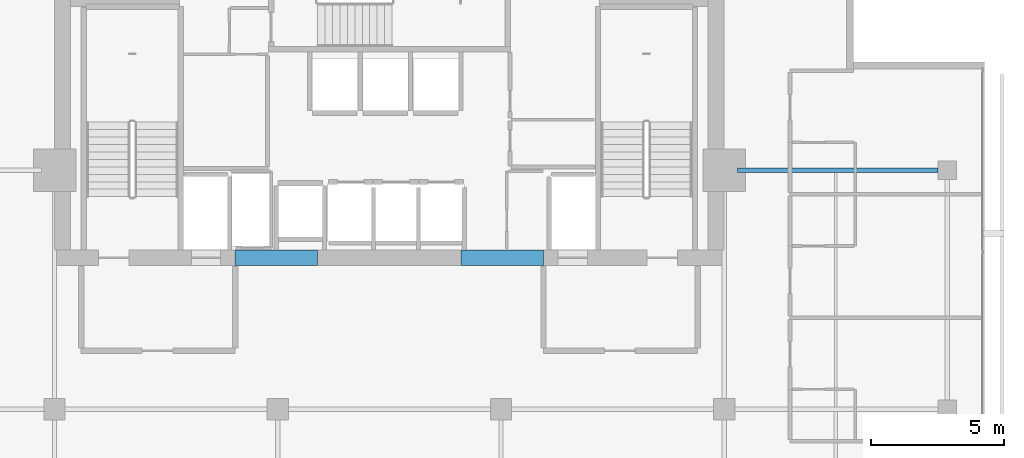
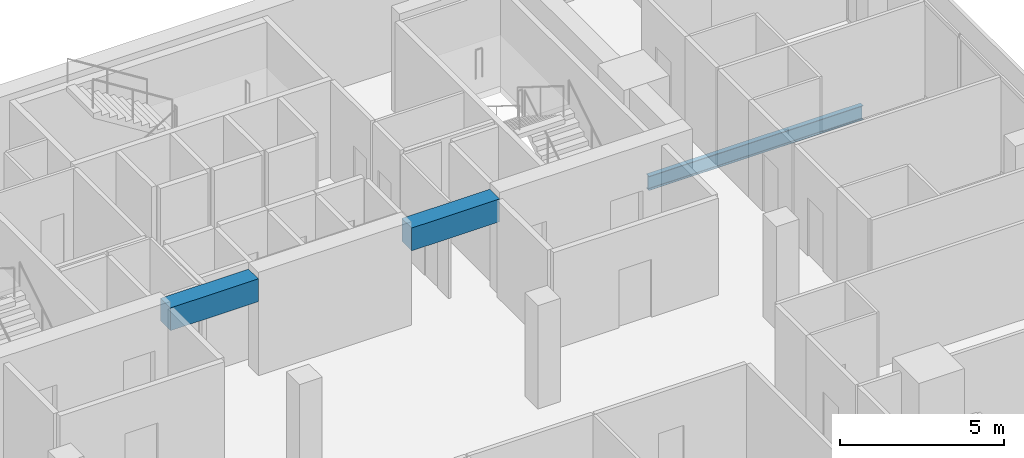
# One storey, part 17 of 26: 3 beams.
"""IFC4 building model written with IfcOpenShell, lengths in metres."""

from ifc_helpers import new_model, si_unit, direction, frame, origin, origin_2d, place, context, subcontext, project, spatial, rectangle, i_section, extrude, material, material_profile, profile_set, type_object, element, save


model = new_model("IFC4")

# Units and contexts
model_context = context("Model", 3, precision=1e-05, world=origin(), true_north=direction((0.0, 1.0)))
body_context = subcontext(model_context, "Body", "Model", "MODEL_VIEW")
ifc_project = project(units=[si_unit("LENGTHUNIT", "METRE"), si_unit("AREAUNIT", "SQUARE_METRE"), si_unit("VOLUMEUNIT", "CUBIC_METRE"), si_unit("PLANEANGLEUNIT", "RADIAN"), si_unit("MASSUNIT", "GRAM", prefix="KILO")], contexts=[model_context])

# Site, building, storey
site_placement = place(None, origin())
site = spatial("IfcSite", under=ifc_project, at=site_placement, CompositionType="ELEMENT")
building_placement = place(site_placement, origin())
building = spatial("IfcBuilding", under=site, at=building_placement, Name="Maruvema Waterfront Hotel and Observation Tower", CompositionType="ELEMENT")
storey_placement = place(building_placement, frame((0.0, 0.0, 285.60009765625)))
storey = spatial("IfcBuildingStorey", under=building, at=storey_placement, Name="L70", CompositionType="ELEMENT", Elevation=285.60009765625)

# Beams
ifc_material_1 = material(Name="Concrete C60/75", Category="concrete")
ifc_material_profile_1 = material_profile(ifc_material_1, rectangle(XDim=0.60009765625, YDim=0.85009765625, at=origin_2d()), Name="CB600x850")
ifc_profile_set_1 = profile_set([ifc_material_profile_1], Name="Concrete C60/75")
beam_type_1 = type_object("IfcBeamType", Name="Core Coupling Lintel Beam CB600x850", PredefinedType="LINTEL", material=ifc_profile_set_1)
for number, where, z_axis, x_axis, name in (
    (1, (32.0, 41.699951171875, 3.184814453125), (1.0, 0.0, 0.0), (0.0, 1.0, 0.0), "L70 Core Coupling Lintel Beam West"),
    (2, (40.5, 41.699951171875, 3.184814453125), (1.0, 0.0, 0.0), (0.0, 1.0, 0.0), "L70 Core Coupling Lintel Beam East"),
):
    element("IfcBeam", number, at=place(storey_placement, frame(where, z_axis=z_axis, x_axis=x_axis)), inside=storey, type_object=beam_type_1, Name=name, PredefinedType="LINTEL", context=body_context, shape_type="SweptSolid", body=[
        extrude(rectangle(XDim=0.60009765625, YDim=0.85009765625, at=origin_2d()), origin(), (0.0, 0.0, 1.0), 3.10009765625),
    ])
ifc_material_2 = material(Name="Steel ASTM A572 Grade 50", Category="steel")
ifc_material_profile_2 = material_profile(ifc_material_2, i_section(OverallWidth=0.166015625, OverallDepth=0.529052734375, WebThickness=0.009765625, FlangeThickness=0.013671875, FilletRadius=0.014892578125, at=origin_2d()), Name="W530x74.0")
ifc_profile_set_2 = profile_set([ifc_material_profile_2], Name="Steel ASTM A572 Grade 50")
beam_type_2 = type_object("IfcBeamType", Name="Primary Floor Girder W530x74.0", PredefinedType="BEAM", material=ifc_profile_set_2)
beam_placement = place(storey_placement, frame((50.89990234375, 45.0, -0.504638671875), z_axis=(1.0, 0.0, 0.0), x_axis=(0.0, 1.0, 0.0)))
element("IfcBeam", 3, at=beam_placement, inside=storey, type_object=beam_type_2, Name="L70 Floor Girder EW-18", PredefinedType="BEAM", context=body_context, shape_type="SweptSolid", body=[
    extrude(i_section(OverallWidth=0.166015625, OverallDepth=0.529052734375, WebThickness=0.009765625, FlangeThickness=0.013671875, FilletRadius=0.014892578125, at=origin_2d()), origin(), (0.0, 0.0, 1.0), 7.550048828125),
])

save(model, "model.ifc")
